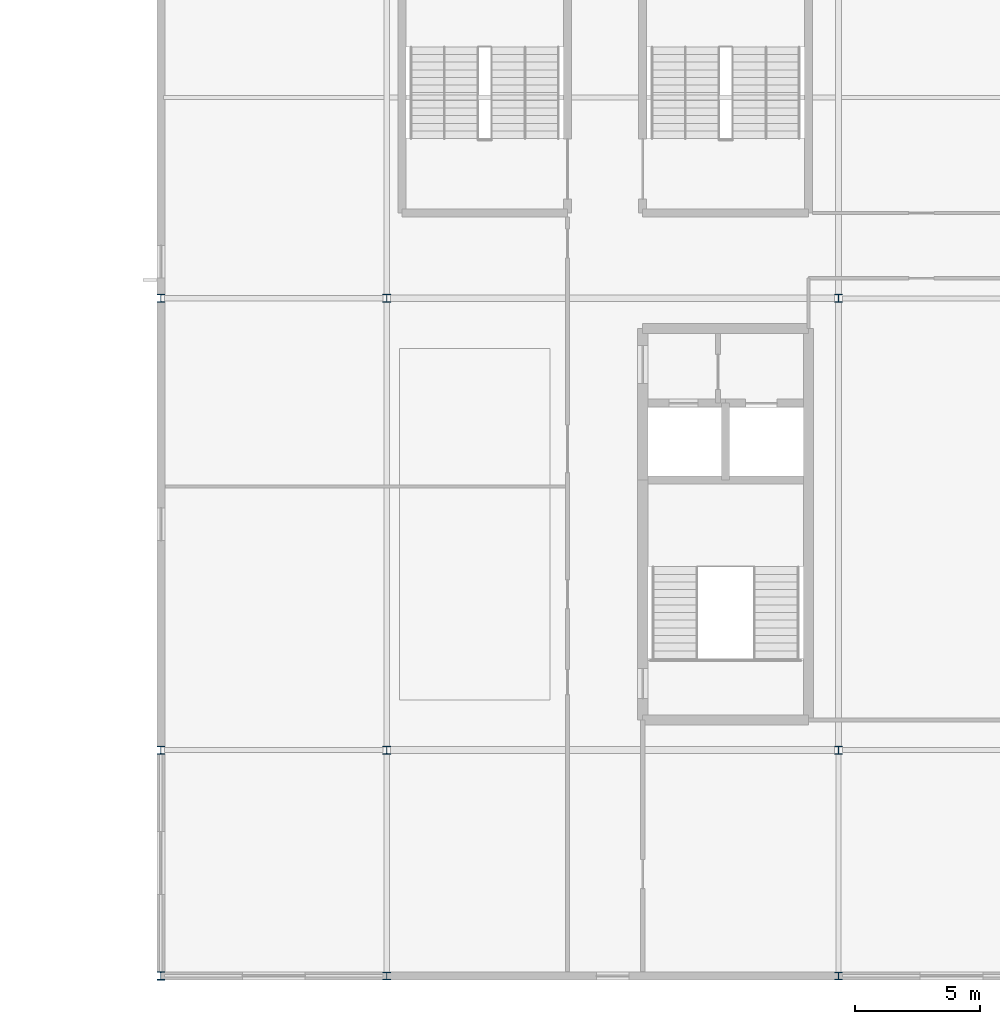
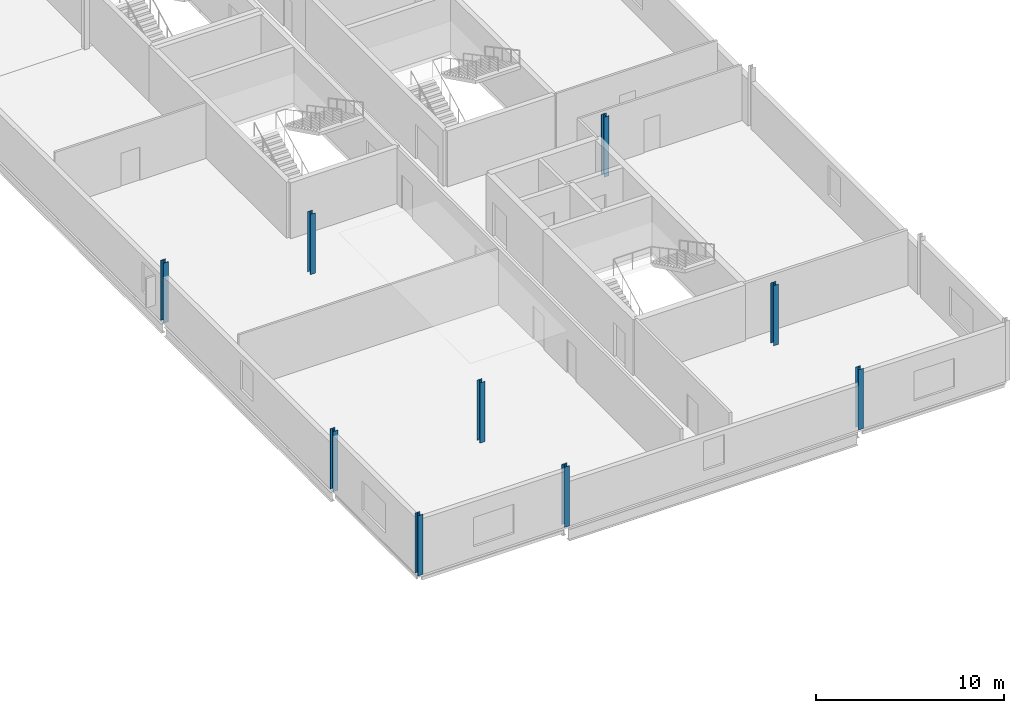
# One storey, part 6 of 31: 9 columns.
"""IFC4 building model written with IfcOpenShell, lengths in metres."""

from ifc_helpers import new_model, si_unit, direction, frame, origin, origin_2d, place, context, subcontext, project, spatial, i_section, extrude, material, material_profile, profile_set, type_object, element, save


model = new_model("IFC4")

# Units and contexts
model_context = context("Model", 3, precision=1e-05, world=origin(), true_north=direction((0.0, 1.0)))
body_context = subcontext(model_context, "Body", "Model", "MODEL_VIEW")
ifc_project = project(units=[si_unit("LENGTHUNIT", "METRE"), si_unit("AREAUNIT", "SQUARE_METRE"), si_unit("VOLUMEUNIT", "CUBIC_METRE"), si_unit("PLANEANGLEUNIT", "RADIAN"), si_unit("MASSUNIT", "GRAM", prefix="KILO")], contexts=[model_context])

# Site, building, storey
site_placement = place(None, origin())
site = spatial("IfcSite", under=ifc_project, at=site_placement, CompositionType="ELEMENT")
building_placement = place(site_placement, origin())
building = spatial("IfcBuilding", under=site, at=building_placement, Name="Kisiwana Market Hall", CompositionType="ELEMENT")
storey_placement = place(building_placement, frame((0.0, 0.0, 45.60009765625)))
storey = spatial("IfcBuildingStorey", under=building, at=storey_placement, Name="L10", CompositionType="ELEMENT", Elevation=45.60009765625)

# Columns
ifc_material_1 = material(Name="Steel S355", Category="steel")
ifc_material_profile_1 = material_profile(ifc_material_1, i_section(OverallWidth=0.300048828125, OverallDepth=0.320068359375, WebThickness=0.011474609375, FlangeThickness=0.0205078125, FilletRadius=0.027099609375, at=origin_2d()), Name="HEB 320")
ifc_profile_set_1 = profile_set([ifc_material_profile_1], Name="Steel S355")
column_type_1 = type_object("IfcColumnType", Name="COL-STL-HEB320", PredefinedType="COLUMN", material=ifc_profile_set_1)
for number, where, z_axis, x_axis, name in (
    (1, (162.0, 9.0, 0.0), (0.0, 0.0, 1.0), (1.0, 0.0, 0.0), "Column B/19 (L10) C-1292"),
    (2, (162.0, 18.0, 0.0), (0.0, 0.0, 1.0), (1.0, 0.0, 0.0), "Column C/19 (L10) C-1293"),
    (3, (162.0, 36.0, 0.0), (0.0, 0.0, 1.0), (1.0, 0.0, 0.0), "Column E/19 (L10) C-1294"),
):
    element("IfcColumn", number, at=place(storey_placement, frame(where, z_axis=z_axis, x_axis=x_axis)), inside=storey, type_object=column_type_1, Name=name, PredefinedType="COLUMN", context=body_context, shape_type="SweptSolid", body=[
        extrude(i_section(OverallWidth=0.300048828125, OverallDepth=0.320068359375, WebThickness=0.011474609375, FlangeThickness=0.0205078125, FilletRadius=0.027099609375, at=origin_2d()), origin(), (0.0, 0.0, 1.0), 3.89990234375),
    ])
ifc_material_2 = material(Name="Steel S355", Category="steel")
ifc_material_profile_2 = material_profile(ifc_material_2, i_section(OverallWidth=0.307373046875, OverallDepth=0.314453125, WebThickness=0.011962890625, FlangeThickness=0.018798828125, FilletRadius=0.01513671875, at=origin_2d()), Name="UC 305x305x118")
ifc_profile_set_2 = profile_set([ifc_material_profile_2], Name="Steel S355")
column_type_2 = type_object("IfcColumnType", Name="COL-STL-UC118", PredefinedType="COLUMN", material=ifc_profile_set_2)
for number, where, z_axis, x_axis, name in (
    (4, (171.0, 9.0, 0.0), (0.0, 0.0, 1.0), (1.0, 0.0, 0.0), "Column B/20 (L10) C-1298"),
    (5, (171.0, 18.0, 0.0), (0.0, 0.0, 1.0), (1.0, 0.0, 0.0), "Column C/20 (L10) C-1299"),
    (6, (171.0, 36.0, 0.0), (0.0, 0.0, 1.0), (1.0, 0.0, 0.0), "Column E/20 (L10) C-1300"),
    (7, (189.0, 9.0, 0.0), (0.0, 0.0, 1.0), (1.0, 0.0, 0.0), "Column B/22 (L10) C-1305"),
    (8, (189.0, 18.0, 0.0), (0.0, 0.0, 1.0), (1.0, 0.0, 0.0), "Column C/22 (L10) C-1306"),
    (9, (189.0, 36.0, 0.0), (0.0, 0.0, 1.0), (1.0, 0.0, 0.0), "Column E/22 (L10) C-1307"),
):
    element("IfcColumn", number, at=place(storey_placement, frame(where, z_axis=z_axis, x_axis=x_axis)), inside=storey, type_object=column_type_2, Name=name, PredefinedType="COLUMN", context=body_context, shape_type="SweptSolid", body=[
        extrude(i_section(OverallWidth=0.307373046875, OverallDepth=0.314453125, WebThickness=0.011962890625, FlangeThickness=0.018798828125, FilletRadius=0.01513671875, at=origin_2d()), origin(), (0.0, 0.0, 1.0), 3.89990234375),
    ])

save(model, "model.ifc")
